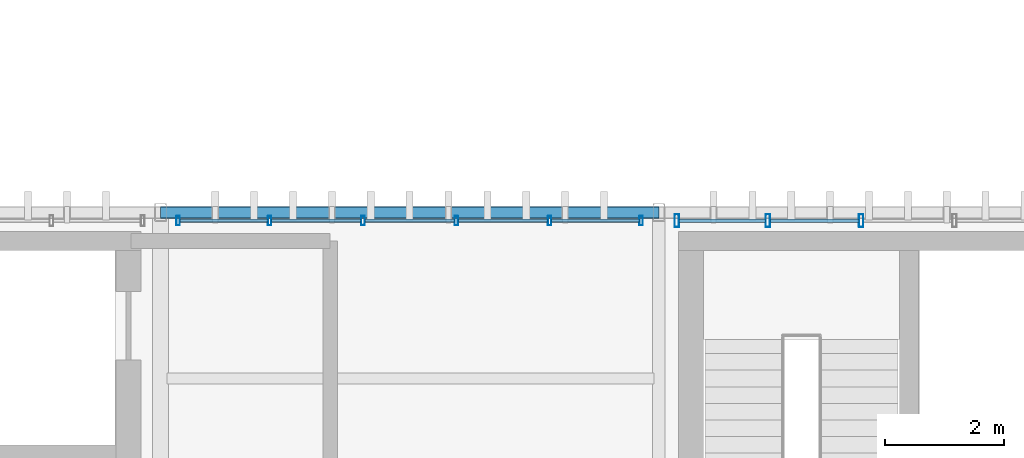
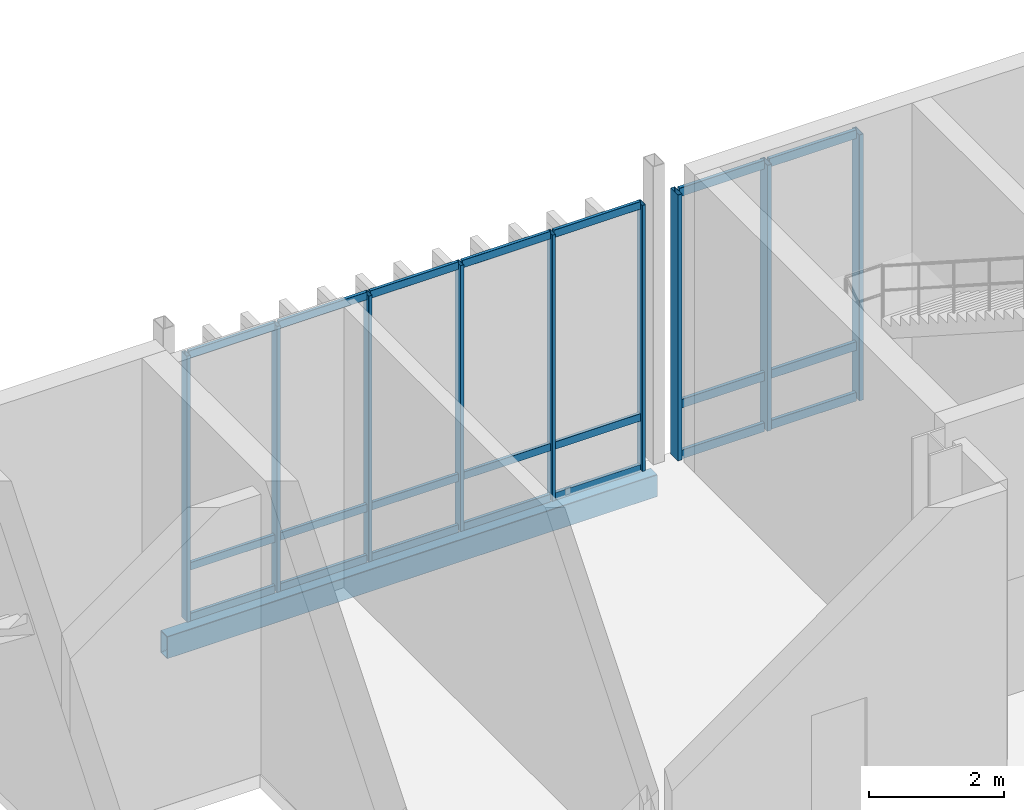
# One storey, part 33 of 128: 30 members, 1 beam, 2 elements without a shape of their own.
"""IFC4 building model written with IfcOpenShell, lengths in metres."""

from ifc_helpers import new_model, si_unit, direction, frame, origin_with_axes, origin_2d_with_axis, place, context, subcontext, project, spatial, hollow_rectangle, extrude, material, material_profile, profile_set, type_object, element, aggregate, save


model = new_model("IFC4")

# Units and contexts
model_context = context("Model", 3, precision=1e-05, world=origin_with_axes(), true_north=direction((0.0, 1.0)))
body_context = subcontext(model_context, "Body", "Model", "MODEL_VIEW")
ifc_project = project(units=[si_unit("LENGTHUNIT", "METRE"), si_unit("AREAUNIT", "SQUARE_METRE"), si_unit("VOLUMEUNIT", "CUBIC_METRE"), si_unit("PLANEANGLEUNIT", "RADIAN"), si_unit("MASSUNIT", "GRAM", prefix="KILO"), si_unit("THERMODYNAMICTEMPERATUREUNIT", "KELVIN")], contexts=[model_context])

# Site, building, storey
site_placement = place(None, origin_with_axes())
site = spatial("IfcSite", under=ifc_project, at=site_placement, CompositionType="ELEMENT")
building_placement = place(site_placement, origin_with_axes())
building = spatial("IfcBuilding", under=site, at=building_placement, Name="Montbau Bow Law Courts", CompositionType="ELEMENT")
storey_placement = place(building_placement, frame((0.0, 0.0, 5.4), z_axis=(0.0, 0.0, 1.0), x_axis=(1.0, 0.0, 0.0)))
storey = spatial("IfcBuildingStorey", under=building, at=storey_placement, Name="L01", CompositionType="ELEMENT", Elevation=5.4)

# Beam
ifc_material_1 = material(Name="Steel CSA G40.21 Grade 350WT (350 MPa)", Category="steel")
ifc_material_profile_1 = material_profile(ifc_material_1, hollow_rectangle(XDim=0.203, YDim=0.406, WallThickness=0.0127, InnerFilletRadius=0.0254, OuterFilletRadius=0.0127, at=origin_2d_with_axis()), Name="HSS406X203X13", Category="Main", Priority=0)
ifc_profile_set_1 = profile_set([ifc_material_profile_1], Name="Steel CSA G40.21 Grade 350WT (350 MPa)")
beam_type = type_object("IfcBeamType", Name="B-SPN-01", PredefinedType="SPANDREL", material=ifc_profile_set_1)
beam_placement = place(None, frame((22.2, 54.6, 4.957), z_axis=(1.0, 0.0, 0.0), x_axis=(0.0, 1.0, 0.0)))
element("IfcBeam", 1, at=beam_placement, inside=storey, type_object=beam_type, Name="SPN-L01-S0531:bm2_0534", PredefinedType="SPANDREL", context=body_context, shape_type="SweptSolid", body=[
    extrude(hollow_rectangle(XDim=0.203, YDim=0.406, WallThickness=0.0127, InnerFilletRadius=0.0254, OuterFilletRadius=0.0127, at=origin_2d_with_axis()), origin_with_axes(), (0.0, 0.0, 1.0), 8.4),
])

# Curtain wall, members
ifc_material_2 = material(Name="Thermally Broken Extruded Aluminium AA 6063-T6", Category="aluminium")
curtain_wall_type = type_object("IfcCurtainWallType", Name="CW-TRC-01", PredefinedType="NOTDEFINED", material=ifc_material_2)
curtain_wall_1_placement = place(None, frame((30.867, 54.46, 5.4), z_axis=(0.0, 0.0, 1.0), x_axis=(1.0, 0.0, 0.0)))
curtain_wall_1 = element("IfcCurtainWall", 2, at=curtain_wall_1_placement, inside=storey, type_object=curtain_wall_type, Name="CW-L01-024:cw_0024", PredefinedType="NOTDEFINED")
ifc_material_profile_2 = material_profile(ifc_material_2, hollow_rectangle(XDim=0.075, YDim=0.22, WallThickness=0.005, InnerFilletRadius=0.01, OuterFilletRadius=0.005, at=origin_2d_with_axis()), Name="CWM-220X75", Category="Main", Priority=0)
ifc_profile_set_2 = profile_set([ifc_material_profile_2], Name="Thermally Broken Extruded Aluminium AA 6063-T6")
member_type_1 = type_object("IfcMemberType", Name="M-MUL-01", PredefinedType="MULLION", material=ifc_profile_set_2)
member_1_placement = place(None, frame((30.904, 54.46, 5.4), z_axis=(0.0, 0.0, 1.0), x_axis=(1.0, 0.0, 0.0)))
member_1 = element("IfcMember", 3, at=member_1_placement, type_object=member_type_1, Name="CW-L01-024-M01:cw_0024_M01", PredefinedType="MULLION", context=body_context, shape_type="SweptSolid", body=[
    extrude(hollow_rectangle(XDim=0.075, YDim=0.22, WallThickness=0.005, InnerFilletRadius=0.01, OuterFilletRadius=0.005, at=origin_2d_with_axis()), origin_with_axes(), (0.0, 0.0, 1.0), 4.82),
])
member_2_placement = place(None, frame((32.44, 54.46, 5.4), z_axis=(0.0, 0.0, 1.0), x_axis=(1.0, 0.0, 0.0)))
member_2 = element("IfcMember", 4, at=member_2_placement, type_object=member_type_1, Name="CW-L01-024-M02:cw_0024_M02", PredefinedType="MULLION", context=body_context, shape_type="SweptSolid", body=[
    extrude(hollow_rectangle(XDim=0.075, YDim=0.22, WallThickness=0.005, InnerFilletRadius=0.01, OuterFilletRadius=0.005, at=origin_2d_with_axis()), origin_with_axes(), (0.0, 0.0, 1.0), 4.82),
])
member_3_placement = place(None, frame((34.013, 54.46, 5.4), z_axis=(0.0, 0.0, 1.0), x_axis=(1.0, 0.0, 0.0)))
member_3 = element("IfcMember", 5, at=member_3_placement, type_object=member_type_1, Name="CW-L01-024-M03:cw_0024_M03", PredefinedType="MULLION", context=body_context, shape_type="SweptSolid", body=[
    extrude(hollow_rectangle(XDim=0.075, YDim=0.22, WallThickness=0.005, InnerFilletRadius=0.01, OuterFilletRadius=0.005, at=origin_2d_with_axis()), origin_with_axes(), (0.0, 0.0, 1.0), 4.82),
])

curtain_wall_2_placement = place(None, frame((22.467, 54.46, 5.4), z_axis=(0.0, 0.0, 1.0), x_axis=(1.0, 0.0, 0.0)))
curtain_wall_2 = element("IfcCurtainWall", 6, at=curtain_wall_2_placement, inside=storey, type_object=curtain_wall_type, Name="CW-L01-023:cw_0023", PredefinedType="NOTDEFINED")
ifc_material_profile_3 = material_profile(ifc_material_2, hollow_rectangle(XDim=0.06, YDim=0.16, WallThickness=0.004, InnerFilletRadius=0.008, OuterFilletRadius=0.004, at=origin_2d_with_axis()), Name="CWM-160X60", Category="Main", Priority=0)
ifc_profile_set_3 = profile_set([ifc_material_profile_3], Name="Thermally Broken Extruded Aluminium AA 6063-T6")
member_type_2 = type_object("IfcMemberType", Name="M-MUL-03", PredefinedType="MULLION", material=ifc_profile_set_3)
member_4_placement = place(None, frame((22.497, 54.46, 5.4), z_axis=(0.0, 0.0, 1.0), x_axis=(1.0, 0.0, 0.0)))
member_4 = element("IfcMember", 7, at=member_4_placement, type_object=member_type_2, Name="CW-L01-023-M01:cw_0023_M01", PredefinedType="MULLION", context=body_context, shape_type="SweptSolid", body=[
    extrude(hollow_rectangle(XDim=0.06, YDim=0.16, WallThickness=0.004, InnerFilletRadius=0.008, OuterFilletRadius=0.004, at=origin_2d_with_axis()), origin_with_axes(), (0.0, 0.0, 1.0), 4.82),
])
member_5_placement = place(None, frame((24.04, 54.46, 5.4), z_axis=(0.0, 0.0, 1.0), x_axis=(1.0, 0.0, 0.0)))
member_5 = element("IfcMember", 8, at=member_5_placement, type_object=member_type_2, Name="CW-L01-023-M02:cw_0023_M02", PredefinedType="MULLION", context=body_context, shape_type="SweptSolid", body=[
    extrude(hollow_rectangle(XDim=0.06, YDim=0.16, WallThickness=0.004, InnerFilletRadius=0.008, OuterFilletRadius=0.004, at=origin_2d_with_axis()), origin_with_axes(), (0.0, 0.0, 1.0), 4.82),
])
member_6_placement = place(None, frame((25.613, 54.46, 5.4), z_axis=(0.0, 0.0, 1.0), x_axis=(1.0, 0.0, 0.0)))
member_6 = element("IfcMember", 9, at=member_6_placement, type_object=member_type_2, Name="CW-L01-023-M03:cw_0023_M03", PredefinedType="MULLION", context=body_context, shape_type="SweptSolid", body=[
    extrude(hollow_rectangle(XDim=0.06, YDim=0.16, WallThickness=0.004, InnerFilletRadius=0.008, OuterFilletRadius=0.004, at=origin_2d_with_axis()), origin_with_axes(), (0.0, 0.0, 1.0), 4.82),
])
member_7_placement = place(None, frame((27.187, 54.46, 5.4), z_axis=(0.0, 0.0, 1.0), x_axis=(1.0, 0.0, 0.0)))
member_7 = element("IfcMember", 10, at=member_7_placement, type_object=member_type_2, Name="CW-L01-023-M04:cw_0023_M04", PredefinedType="MULLION", context=body_context, shape_type="SweptSolid", body=[
    extrude(hollow_rectangle(XDim=0.06, YDim=0.16, WallThickness=0.004, InnerFilletRadius=0.008, OuterFilletRadius=0.004, at=origin_2d_with_axis()), origin_with_axes(), (0.0, 0.0, 1.0), 4.82),
])
member_8_placement = place(None, frame((28.76, 54.46, 5.4), z_axis=(0.0, 0.0, 1.0), x_axis=(1.0, 0.0, 0.0)))
member_8 = element("IfcMember", 11, at=member_8_placement, type_object=member_type_2, Name="CW-L01-023-M05:cw_0023_M05", PredefinedType="MULLION", context=body_context, shape_type="SweptSolid", body=[
    extrude(hollow_rectangle(XDim=0.06, YDim=0.16, WallThickness=0.004, InnerFilletRadius=0.008, OuterFilletRadius=0.004, at=origin_2d_with_axis()), origin_with_axes(), (0.0, 0.0, 1.0), 4.82),
])
member_9_placement = place(None, frame((30.303, 54.46, 5.4), z_axis=(0.0, 0.0, 1.0), x_axis=(1.0, 0.0, 0.0)))
member_9 = element("IfcMember", 12, at=member_9_placement, type_object=member_type_2, Name="CW-L01-023-M06:cw_0023_M06", PredefinedType="MULLION", context=body_context, shape_type="SweptSolid", body=[
    extrude(hollow_rectangle(XDim=0.06, YDim=0.16, WallThickness=0.004, InnerFilletRadius=0.008, OuterFilletRadius=0.004, at=origin_2d_with_axis()), origin_with_axes(), (0.0, 0.0, 1.0), 4.82),
])

# Member
ifc_material_profile_4 = material_profile(ifc_material_2, hollow_rectangle(XDim=0.06, YDim=0.16, WallThickness=0.004, InnerFilletRadius=0.008, OuterFilletRadius=0.004, at=origin_2d_with_axis()), Name="CWT-160X60", Category="Main", Priority=0)
ifc_profile_set_4 = profile_set([ifc_material_profile_4], Name="Thermally Broken Extruded Aluminium AA 6063-T6")
member_type_3 = type_object("IfcMemberType", Name="M-TRN-01", PredefinedType="USERDEFINED", material=ifc_profile_set_4)
member_10_placement = place(None, frame((30.943, 54.46, 5.43), z_axis=(1.0, 0.0, 0.0), x_axis=(0.0, 1.0, 0.0)))
member_10 = element("IfcMember", 13, at=member_10_placement, type_object=member_type_3, Name="CW-L01-024-T01-1:cw_0024_T01_1", ObjectType="TRANSOM", PredefinedType="USERDEFINED", context=body_context, shape_type="SweptSolid", body=[
    extrude(hollow_rectangle(XDim=0.06, YDim=0.16, WallThickness=0.004, InnerFilletRadius=0.008, OuterFilletRadius=0.004, at=origin_2d_with_axis()), origin_with_axes(), (0.0, 0.0, 1.0), 1.457),
])

member_11_placement = place(None, frame((30.943, 54.46, 6.35), z_axis=(1.0, 0.0, 0.0), x_axis=(0.0, 1.0, 0.0)))
member_11 = element("IfcMember", 14, at=member_11_placement, type_object=member_type_3, Name="CW-L01-024-T01-2:cw_0024_T01_2", ObjectType="TRANSOM", PredefinedType="USERDEFINED", context=body_context, shape_type="SweptSolid", body=[
    extrude(hollow_rectangle(XDim=0.06, YDim=0.16, WallThickness=0.004, InnerFilletRadius=0.008, OuterFilletRadius=0.004, at=origin_2d_with_axis()), origin_with_axes(), (0.0, 0.0, 1.0), 1.457),
])

member_12_placement = place(None, frame((30.943, 54.46, 10.19), z_axis=(1.0, 0.0, 0.0), x_axis=(0.0, 1.0, 0.0)))
member_12 = element("IfcMember", 15, at=member_12_placement, type_object=member_type_3, Name="CW-L01-024-T01-3:cw_0024_T01_3", ObjectType="TRANSOM", PredefinedType="USERDEFINED", context=body_context, shape_type="SweptSolid", body=[
    extrude(hollow_rectangle(XDim=0.06, YDim=0.16, WallThickness=0.004, InnerFilletRadius=0.008, OuterFilletRadius=0.004, at=origin_2d_with_axis()), origin_with_axes(), (0.0, 0.0, 1.0), 1.457),
])

member_13_placement = place(None, frame((32.48, 54.46, 5.43), z_axis=(1.0, 0.0, 0.0), x_axis=(0.0, 1.0, 0.0)))
member_13 = element("IfcMember", 16, at=member_13_placement, type_object=member_type_3, Name="CW-L01-024-T02-1:cw_0024_T02_1", ObjectType="TRANSOM", PredefinedType="USERDEFINED", context=body_context, shape_type="SweptSolid", body=[
    extrude(hollow_rectangle(XDim=0.06, YDim=0.16, WallThickness=0.004, InnerFilletRadius=0.008, OuterFilletRadius=0.004, at=origin_2d_with_axis()), origin_with_axes(), (0.0, 0.0, 1.0), 1.494),
])

member_14_placement = place(None, frame((32.48, 54.46, 6.35), z_axis=(1.0, 0.0, 0.0), x_axis=(0.0, 1.0, 0.0)))
member_14 = element("IfcMember", 17, at=member_14_placement, type_object=member_type_3, Name="CW-L01-024-T02-2:cw_0024_T02_2", ObjectType="TRANSOM", PredefinedType="USERDEFINED", context=body_context, shape_type="SweptSolid", body=[
    extrude(hollow_rectangle(XDim=0.06, YDim=0.16, WallThickness=0.004, InnerFilletRadius=0.008, OuterFilletRadius=0.004, at=origin_2d_with_axis()), origin_with_axes(), (0.0, 0.0, 1.0), 1.494),
])

member_15_placement = place(None, frame((32.48, 54.46, 10.19), z_axis=(1.0, 0.0, 0.0), x_axis=(0.0, 1.0, 0.0)))
member_15 = element("IfcMember", 18, at=member_15_placement, type_object=member_type_3, Name="CW-L01-024-T02-3:cw_0024_T02_3", ObjectType="TRANSOM", PredefinedType="USERDEFINED", context=body_context, shape_type="SweptSolid", body=[
    extrude(hollow_rectangle(XDim=0.06, YDim=0.16, WallThickness=0.004, InnerFilletRadius=0.008, OuterFilletRadius=0.004, at=origin_2d_with_axis()), origin_with_axes(), (0.0, 0.0, 1.0), 1.494),
])

aggregate(curtain_wall_1, [member_1, member_2, member_3, member_10, member_11, member_12, member_13, member_14, member_15])

ifc_material_profile_5 = material_profile(ifc_material_2, hollow_rectangle(XDim=0.055, YDim=0.14, WallThickness=0.004, InnerFilletRadius=0.008, OuterFilletRadius=0.004, at=origin_2d_with_axis()), Name="CWT-140X55", Category="Main", Priority=0)
ifc_profile_set_5 = profile_set([ifc_material_profile_5], Name="Thermally Broken Extruded Aluminium AA 6063-T6")
member_type_4 = type_object("IfcMemberType", Name="M-TRN-02", PredefinedType="USERDEFINED", material=ifc_profile_set_5)
member_16_placement = place(None, frame((22.529, 54.46, 5.428), z_axis=(1.0, 0.0, 0.0), x_axis=(0.0, 1.0, 0.0)))
member_16 = element("IfcMember", 19, at=member_16_placement, type_object=member_type_4, Name="CW-L01-023-T01-1:cw_0023_T01_1", ObjectType="TRANSOM", PredefinedType="USERDEFINED", context=body_context, shape_type="SweptSolid", body=[
    extrude(hollow_rectangle(XDim=0.055, YDim=0.14, WallThickness=0.004, InnerFilletRadius=0.008, OuterFilletRadius=0.004, at=origin_2d_with_axis()), origin_with_axes(), (0.0, 0.0, 1.0), 1.479),
])

member_17_placement = place(None, frame((22.529, 54.46, 6.35), z_axis=(1.0, 0.0, 0.0), x_axis=(0.0, 1.0, 0.0)))
member_17 = element("IfcMember", 20, at=member_17_placement, type_object=member_type_4, Name="CW-L01-023-T01-2:cw_0023_T01_2", ObjectType="TRANSOM", PredefinedType="USERDEFINED", context=body_context, shape_type="SweptSolid", body=[
    extrude(hollow_rectangle(XDim=0.055, YDim=0.14, WallThickness=0.004, InnerFilletRadius=0.008, OuterFilletRadius=0.004, at=origin_2d_with_axis()), origin_with_axes(), (0.0, 0.0, 1.0), 1.479),
])

member_18_placement = place(None, frame((22.529, 54.46, 10.193), z_axis=(1.0, 0.0, 0.0), x_axis=(0.0, 1.0, 0.0)))
member_18 = element("IfcMember", 21, at=member_18_placement, type_object=member_type_4, Name="CW-L01-023-T01-3:cw_0023_T01_3", ObjectType="TRANSOM", PredefinedType="USERDEFINED", context=body_context, shape_type="SweptSolid", body=[
    extrude(hollow_rectangle(XDim=0.055, YDim=0.14, WallThickness=0.004, InnerFilletRadius=0.008, OuterFilletRadius=0.004, at=origin_2d_with_axis()), origin_with_axes(), (0.0, 0.0, 1.0), 1.479),
])

member_19_placement = place(None, frame((24.072, 54.46, 5.428), z_axis=(1.0, 0.0, 0.0), x_axis=(0.0, 1.0, 0.0)))
member_19 = element("IfcMember", 22, at=member_19_placement, type_object=member_type_4, Name="CW-L01-023-T02-1:cw_0023_T02_1", ObjectType="TRANSOM", PredefinedType="USERDEFINED", context=body_context, shape_type="SweptSolid", body=[
    extrude(hollow_rectangle(XDim=0.055, YDim=0.14, WallThickness=0.004, InnerFilletRadius=0.008, OuterFilletRadius=0.004, at=origin_2d_with_axis()), origin_with_axes(), (0.0, 0.0, 1.0), 1.509),
])

member_20_placement = place(None, frame((24.072, 54.46, 6.35), z_axis=(1.0, 0.0, 0.0), x_axis=(0.0, 1.0, 0.0)))
member_20 = element("IfcMember", 23, at=member_20_placement, type_object=member_type_4, Name="CW-L01-023-T02-2:cw_0023_T02_2", ObjectType="TRANSOM", PredefinedType="USERDEFINED", context=body_context, shape_type="SweptSolid", body=[
    extrude(hollow_rectangle(XDim=0.055, YDim=0.14, WallThickness=0.004, InnerFilletRadius=0.008, OuterFilletRadius=0.004, at=origin_2d_with_axis()), origin_with_axes(), (0.0, 0.0, 1.0), 1.509),
])

member_21_placement = place(None, frame((24.072, 54.46, 10.193), z_axis=(1.0, 0.0, 0.0), x_axis=(0.0, 1.0, 0.0)))
member_21 = element("IfcMember", 24, at=member_21_placement, type_object=member_type_4, Name="CW-L01-023-T02-3:cw_0023_T02_3", ObjectType="TRANSOM", PredefinedType="USERDEFINED", context=body_context, shape_type="SweptSolid", body=[
    extrude(hollow_rectangle(XDim=0.055, YDim=0.14, WallThickness=0.004, InnerFilletRadius=0.008, OuterFilletRadius=0.004, at=origin_2d_with_axis()), origin_with_axes(), (0.0, 0.0, 1.0), 1.509),
])

member_22_placement = place(None, frame((25.645, 54.46, 5.428), z_axis=(1.0, 0.0, 0.0), x_axis=(0.0, 1.0, 0.0)))
member_22 = element("IfcMember", 25, at=member_22_placement, type_object=member_type_4, Name="CW-L01-023-T03-1:cw_0023_T03_1", ObjectType="TRANSOM", PredefinedType="USERDEFINED", context=body_context, shape_type="SweptSolid", body=[
    extrude(hollow_rectangle(XDim=0.055, YDim=0.14, WallThickness=0.004, InnerFilletRadius=0.008, OuterFilletRadius=0.004, at=origin_2d_with_axis()), origin_with_axes(), (0.0, 0.0, 1.0), 1.51),
])

member_23_placement = place(None, frame((25.645, 54.46, 6.35), z_axis=(1.0, 0.0, 0.0), x_axis=(0.0, 1.0, 0.0)))
member_23 = element("IfcMember", 26, at=member_23_placement, type_object=member_type_4, Name="CW-L01-023-T03-2:cw_0023_T03_2", ObjectType="TRANSOM", PredefinedType="USERDEFINED", context=body_context, shape_type="SweptSolid", body=[
    extrude(hollow_rectangle(XDim=0.055, YDim=0.14, WallThickness=0.004, InnerFilletRadius=0.008, OuterFilletRadius=0.004, at=origin_2d_with_axis()), origin_with_axes(), (0.0, 0.0, 1.0), 1.51),
])

member_24_placement = place(None, frame((25.645, 54.46, 10.193), z_axis=(1.0, 0.0, 0.0), x_axis=(0.0, 1.0, 0.0)))
member_24 = element("IfcMember", 27, at=member_24_placement, type_object=member_type_4, Name="CW-L01-023-T03-3:cw_0023_T03_3", ObjectType="TRANSOM", PredefinedType="USERDEFINED", context=body_context, shape_type="SweptSolid", body=[
    extrude(hollow_rectangle(XDim=0.055, YDim=0.14, WallThickness=0.004, InnerFilletRadius=0.008, OuterFilletRadius=0.004, at=origin_2d_with_axis()), origin_with_axes(), (0.0, 0.0, 1.0), 1.51),
])

member_25_placement = place(None, frame((27.219, 54.46, 5.428), z_axis=(1.0, 0.0, 0.0), x_axis=(0.0, 1.0, 0.0)))
member_25 = element("IfcMember", 28, at=member_25_placement, type_object=member_type_4, Name="CW-L01-023-T04-1:cw_0023_T04_1", ObjectType="TRANSOM", PredefinedType="USERDEFINED", context=body_context, shape_type="SweptSolid", body=[
    extrude(hollow_rectangle(XDim=0.055, YDim=0.14, WallThickness=0.004, InnerFilletRadius=0.008, OuterFilletRadius=0.004, at=origin_2d_with_axis()), origin_with_axes(), (0.0, 0.0, 1.0), 1.509),
])

member_26_placement = place(None, frame((27.219, 54.46, 6.35), z_axis=(1.0, 0.0, 0.0), x_axis=(0.0, 1.0, 0.0)))
member_26 = element("IfcMember", 29, at=member_26_placement, type_object=member_type_4, Name="CW-L01-023-T04-2:cw_0023_T04_2", ObjectType="TRANSOM", PredefinedType="USERDEFINED", context=body_context, shape_type="SweptSolid", body=[
    extrude(hollow_rectangle(XDim=0.055, YDim=0.14, WallThickness=0.004, InnerFilletRadius=0.008, OuterFilletRadius=0.004, at=origin_2d_with_axis()), origin_with_axes(), (0.0, 0.0, 1.0), 1.509),
])

member_27_placement = place(None, frame((27.219, 54.46, 10.193), z_axis=(1.0, 0.0, 0.0), x_axis=(0.0, 1.0, 0.0)))
member_27 = element("IfcMember", 30, at=member_27_placement, type_object=member_type_4, Name="CW-L01-023-T04-3:cw_0023_T04_3", ObjectType="TRANSOM", PredefinedType="USERDEFINED", context=body_context, shape_type="SweptSolid", body=[
    extrude(hollow_rectangle(XDim=0.055, YDim=0.14, WallThickness=0.004, InnerFilletRadius=0.008, OuterFilletRadius=0.004, at=origin_2d_with_axis()), origin_with_axes(), (0.0, 0.0, 1.0), 1.509),
])

member_28_placement = place(None, frame((28.792, 54.46, 5.428), z_axis=(1.0, 0.0, 0.0), x_axis=(0.0, 1.0, 0.0)))
member_28 = element("IfcMember", 31, at=member_28_placement, type_object=member_type_4, Name="CW-L01-023-T05-1:cw_0023_T05_1", ObjectType="TRANSOM", PredefinedType="USERDEFINED", context=body_context, shape_type="SweptSolid", body=[
    extrude(hollow_rectangle(XDim=0.055, YDim=0.14, WallThickness=0.004, InnerFilletRadius=0.008, OuterFilletRadius=0.004, at=origin_2d_with_axis()), origin_with_axes(), (0.0, 0.0, 1.0), 1.479),
])

member_29_placement = place(None, frame((28.792, 54.46, 6.35), z_axis=(1.0, 0.0, 0.0), x_axis=(0.0, 1.0, 0.0)))
member_29 = element("IfcMember", 32, at=member_29_placement, type_object=member_type_4, Name="CW-L01-023-T05-2:cw_0023_T05_2", ObjectType="TRANSOM", PredefinedType="USERDEFINED", context=body_context, shape_type="SweptSolid", body=[
    extrude(hollow_rectangle(XDim=0.055, YDim=0.14, WallThickness=0.004, InnerFilletRadius=0.008, OuterFilletRadius=0.004, at=origin_2d_with_axis()), origin_with_axes(), (0.0, 0.0, 1.0), 1.479),
])

member_30_placement = place(None, frame((28.792, 54.46, 10.193), z_axis=(1.0, 0.0, 0.0), x_axis=(0.0, 1.0, 0.0)))
member_30 = element("IfcMember", 33, at=member_30_placement, type_object=member_type_4, Name="CW-L01-023-T05-3:cw_0023_T05_3", ObjectType="TRANSOM", PredefinedType="USERDEFINED", context=body_context, shape_type="SweptSolid", body=[
    extrude(hollow_rectangle(XDim=0.055, YDim=0.14, WallThickness=0.004, InnerFilletRadius=0.008, OuterFilletRadius=0.004, at=origin_2d_with_axis()), origin_with_axes(), (0.0, 0.0, 1.0), 1.479),
])

aggregate(curtain_wall_2, [member_4, member_5, member_6, member_7, member_8, member_9, member_16, member_17, member_18, member_19, member_20, member_21, member_22, member_23, member_24, member_25, member_26, member_27, member_28, member_29, member_30])

save(model, "model.ifc")
